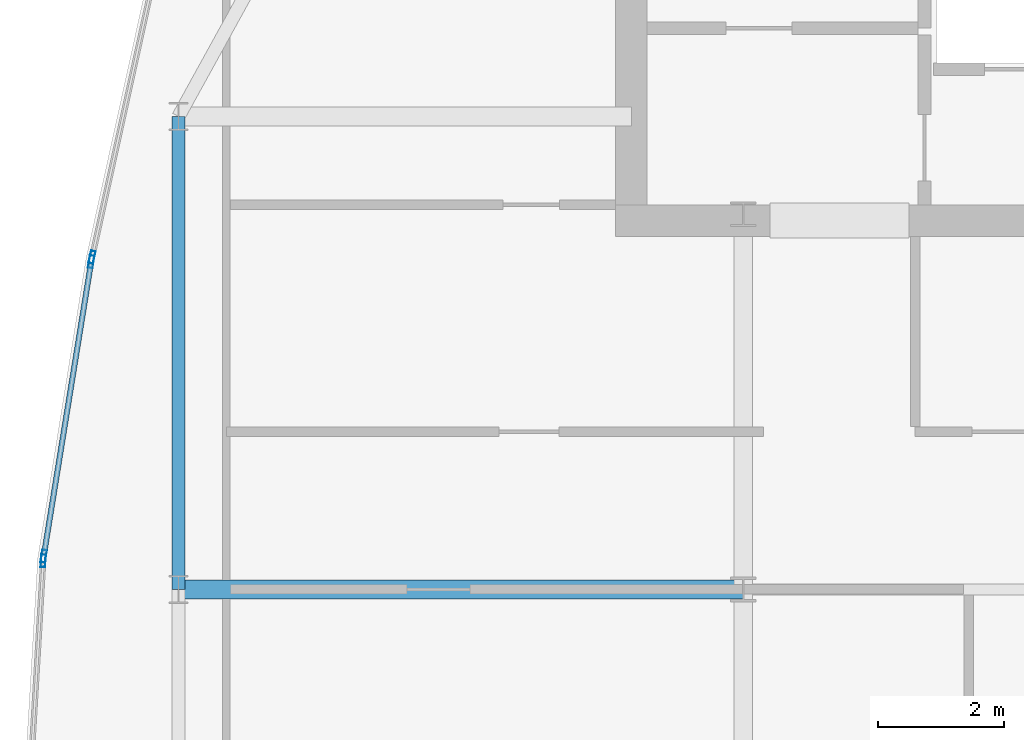
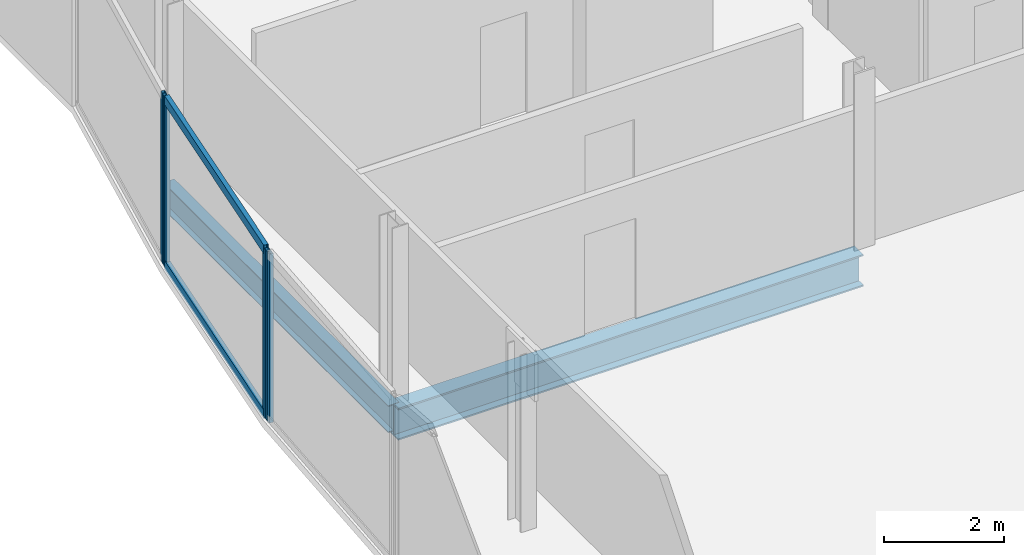
# One storey, part 12 of 30: 6 members, 2 beams, 3 elements without a shape of their own.
"""IFC4 building model written with IfcOpenShell, lengths in metres."""

from ifc_helpers import new_model, si_unit, direction, frame, origin, origin_2d, place, context, subcontext, project, spatial, hollow_rectangle, i_section, extrude, material, material_profile, profile_set, type_object, element, aggregate, save


model = new_model("IFC4")

# Units and contexts
model_context = context("Model", 3, precision=1e-05, world=origin(), true_north=direction((0.0, 1.0)))
body_context = subcontext(model_context, "Body", "Model", "MODEL_VIEW")
ifc_project = project(units=[si_unit("LENGTHUNIT", "METRE"), si_unit("AREAUNIT", "SQUARE_METRE"), si_unit("VOLUMEUNIT", "CUBIC_METRE"), si_unit("PLANEANGLEUNIT", "RADIAN"), si_unit("MASSUNIT", "GRAM", prefix="KILO")], contexts=[model_context])

# Site, building, storey
site_placement = place(None, origin())
site = spatial("IfcSite", under=ifc_project, at=site_placement, CompositionType="ELEMENT")
building_placement = place(site_placement, origin())
building = spatial("IfcBuilding", under=site, at=building_placement, Name="Khoronbel Lancet Exchange", CompositionType="ELEMENT")
storey_placement = place(building_placement, frame((0.0, 0.0, 269.800048828125)))
storey = spatial("IfcBuildingStorey", under=building, at=storey_placement, Name="L69", CompositionType="ELEMENT", Elevation=269.800048828125)

# Beams
ifc_material_1 = material(Name="Steel S355", Category="steel")
ifc_material_profile_1 = material_profile(ifc_material_1, i_section(OverallWidth=0.300048828125, OverallDepth=0.64990234375, WebThickness=0.01611328125, FlangeThickness=0.031005859375, at=origin_2d()), Name="HEB 650")
ifc_profile_set_1 = profile_set([ifc_material_profile_1], Name="Steel S355")
beam_type_1 = type_object("IfcBeamType", Name="BM-BG4", PredefinedType="BEAM", material=ifc_profile_set_1)
beam_1_placement = place(storey_placement, frame((9.27001953125, 35.699951171875, -0.485107421875), z_axis=(1.0, 0.0, 0.0), x_axis=(0.0, 1.0, 0.0)))
element("IfcBeam", 1, at=beam_1_placement, inside=storey, type_object=beam_type_1, Name="Level L69 west lens tie girder LG4W", PredefinedType="BEAM", context=body_context, shape_type="SweptSolid", body=[
    extrude(i_section(OverallWidth=0.300048828125, OverallDepth=0.64990234375, WebThickness=0.01611328125, FlangeThickness=0.031005859375, at=origin_2d()), origin(), (0.0, 0.0, 1.0), 8.955078125),
])
ifc_material_profile_2 = material_profile(ifc_material_1, i_section(OverallWidth=0.2099609375, OverallDepth=0.550048828125, WebThickness=0.010986328125, FlangeThickness=0.01708984375, at=origin_2d()), Name="IPE 550")
ifc_profile_set_2 = profile_set([ifc_material_profile_2], Name="Steel S355")
beam_type_2 = type_object("IfcBeamType", Name="BM-BSP3", PredefinedType="SPANDREL", material=ifc_profile_set_2)
beam_2_placement = place(storey_placement, frame((9.27001953125, 43.199951171875, -0.43505859375), z_axis=(0.0, -1.0, 0.0), x_axis=(1.0, 0.0, 0.0)))
element("IfcBeam", 2, at=beam_2_placement, inside=storey, type_object=beam_type_2, Name="Level L69 perimeter spandrel beam SP17", PredefinedType="SPANDREL", context=body_context, shape_type="SweptSolid", body=[
    extrude(i_section(OverallWidth=0.2099609375, OverallDepth=0.550048828125, WebThickness=0.010986328125, FlangeThickness=0.01708984375, at=origin_2d()), origin(), (0.0, 0.0, 1.0), 7.5),
])

# Curtain wall, member
ifc_material_2 = material(Name="Low-E Solar Control Insulating Glass", Category="glass")
curtain_wall_type = type_object("IfcCurtainWallType", Name="CW-4", PredefinedType="NOTDEFINED", material=ifc_material_2)
curtain_wall_1_placement = place(storey_placement, origin())
curtain_wall_1 = element("IfcCurtainWall", 3, at=curtain_wall_1_placement, inside=storey, type_object=curtain_wall_type, Name="Unitised curtain wall CW-L69-E07", PredefinedType="NOTDEFINED")
ifc_material_3 = material(Name="Bronze-Anodised Aluminium 6063-T6", Category="aluminium")
ifc_material_profile_3 = material_profile(ifc_material_3, hollow_rectangle(XDim=0.074951171875, YDim=0.199951171875, WallThickness=0.0048828125, at=origin_2d()), Name="ALU MULLION 75x200")
ifc_profile_set_3 = profile_set([ifc_material_profile_3], Name="Bronze-Anodised Aluminium 6063-T6")
member_type_1 = type_object("IfcMemberType", Name="MEM-CWM2", PredefinedType="MULLION", material=ifc_profile_set_3)
member_1_placement = place(storey_placement, frame((7.124267578125, 36.15283203125, 0.0), z_axis=(0.0, 0.0, 1.0), x_axis=(-0.99826120415, 0.058945468766, 0.0)))
member_1 = element("IfcMember", 4, at=member_1_placement, type_object=member_type_1, Name="CW4 mullion 2", PredefinedType="MULLION", context=body_context, shape_type="SweptSolid", body=[
    extrude(hollow_rectangle(XDim=0.074951171875, YDim=0.199951171875, WallThickness=0.0048828125, at=origin_2d()), origin(), (0.0, 0.0, 1.0), 3.43994140625),
])
aggregate(curtain_wall_1, [member_1])

# Curtain wall, members
curtain_wall_2_placement = place(storey_placement, origin())
curtain_wall_2 = element("IfcCurtainWall", 5, at=curtain_wall_2_placement, inside=storey, type_object=curtain_wall_type, Name="Unitised curtain wall CW-L69-E08", PredefinedType="NOTDEFINED")
member_2_placement = place(storey_placement, frame((7.13232421875, 36.227294921875, 0.0), z_axis=(0.0, 0.0, 1.0), x_axis=(-0.98723404771, 0.159276285246, 0.0)))
member_2 = element("IfcMember", 6, at=member_2_placement, type_object=member_type_1, Name="CW4 mullion 1", PredefinedType="MULLION", context=body_context, shape_type="SweptSolid", body=[
    extrude(hollow_rectangle(XDim=0.074951171875, YDim=0.199951171875, WallThickness=0.0048828125, at=origin_2d()), origin(), (0.0, 0.0, 1.0), 3.43994140625),
])
member_3_placement = place(storey_placement, frame((7.8857421875, 40.89599609375, 0.0), z_axis=(0.0, 0.0, 1.0), x_axis=(-0.98723404771, 0.159276285246, 0.0)))
member_3 = element("IfcMember", 7, at=member_3_placement, type_object=member_type_1, Name="CW4 mullion 2", PredefinedType="MULLION", context=body_context, shape_type="SweptSolid", body=[
    extrude(hollow_rectangle(XDim=0.074951171875, YDim=0.199951171875, WallThickness=0.0048828125, at=origin_2d()), origin(), (0.0, 0.0, 1.0), 3.43994140625),
])

# Curtain wall, member
curtain_wall_3_placement = place(storey_placement, origin())
curtain_wall_3 = element("IfcCurtainWall", 8, at=curtain_wall_3_placement, inside=storey, type_object=curtain_wall_type, Name="Unitised curtain wall CW-L69-E09", PredefinedType="NOTDEFINED")
member_4_placement = place(storey_placement, frame((7.899658203125, 40.9697265625, 0.0), z_axis=(0.0, 0.0, 1.0), x_axis=(-0.976565223192, 0.21522166446, 0.0)))
member_4 = element("IfcMember", 9, at=member_4_placement, type_object=member_type_1, Name="CW4 mullion 1", PredefinedType="MULLION", context=body_context, shape_type="SweptSolid", body=[
    extrude(hollow_rectangle(XDim=0.074951171875, YDim=0.199951171875, WallThickness=0.0048828125, at=origin_2d()), origin(), (0.0, 0.0, 1.0), 3.43994140625),
])
aggregate(curtain_wall_3, [member_4])

# Member
ifc_material_profile_4 = material_profile(ifc_material_3, hollow_rectangle(XDim=0.0849609375, YDim=0.179931640625, WallThickness=0.0048828125, at=origin_2d()), Name="ALU TRANSOM 85x180")
ifc_profile_set_4 = profile_set([ifc_material_profile_4], Name="Bronze-Anodised Aluminium 6063-T6")
member_type_2 = type_object("IfcMemberType", Name="MEM-CWT1", PredefinedType="USERDEFINED", material=ifc_profile_set_4)
member_5_placement = place(storey_placement, frame((7.138427734375, 36.26416015625, 0.04248046875), z_axis=(0.15925057961, 0.987238194609, 0.0), x_axis=(-0.987238194609, 0.15925057961, 0.0)))
member_5 = element("IfcMember", 10, at=member_5_placement, type_object=member_type_2, Name="CW4 transom 1.1", ObjectType="TRANSOM", PredefinedType="USERDEFINED", context=body_context, shape_type="SweptSolid", body=[
    extrude(hollow_rectangle(XDim=0.0849609375, YDim=0.179931640625, WallThickness=0.0048828125, at=origin_2d()), origin(), (0.0, 0.0, 1.0), 4.654296875),
])

member_6_placement = place(storey_placement, frame((7.138427734375, 36.26416015625, 3.3974609375), z_axis=(0.15925057961, 0.987238194609, 0.0), x_axis=(-0.987238194609, 0.15925057961, 0.0)))
member_6 = element("IfcMember", 11, at=member_6_placement, type_object=member_type_2, Name="CW4 transom 1.2", ObjectType="TRANSOM", PredefinedType="USERDEFINED", context=body_context, shape_type="SweptSolid", body=[
    extrude(hollow_rectangle(XDim=0.0849609375, YDim=0.179931640625, WallThickness=0.0048828125, at=origin_2d()), origin(), (0.0, 0.0, 1.0), 4.654296875),
])

aggregate(curtain_wall_2, [member_2, member_3, member_5, member_6])

save(model, "model.ifc")
